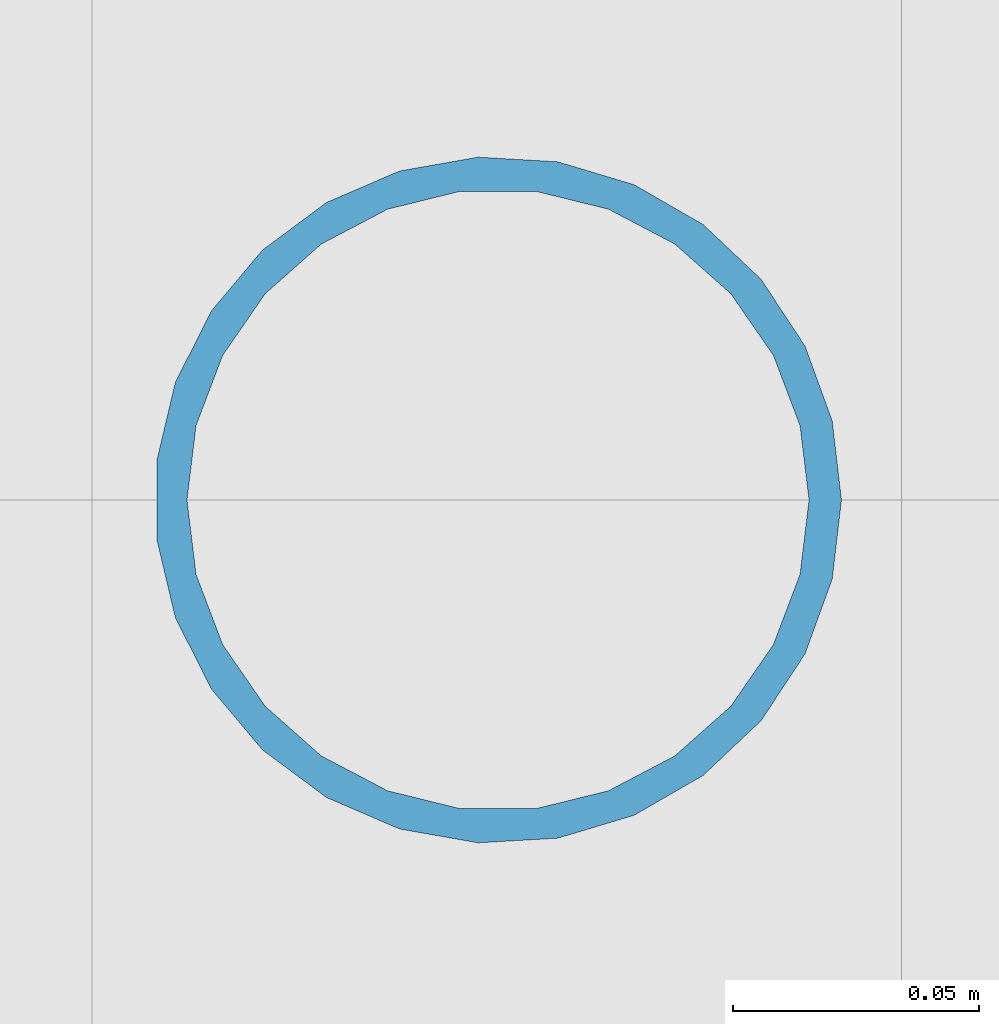
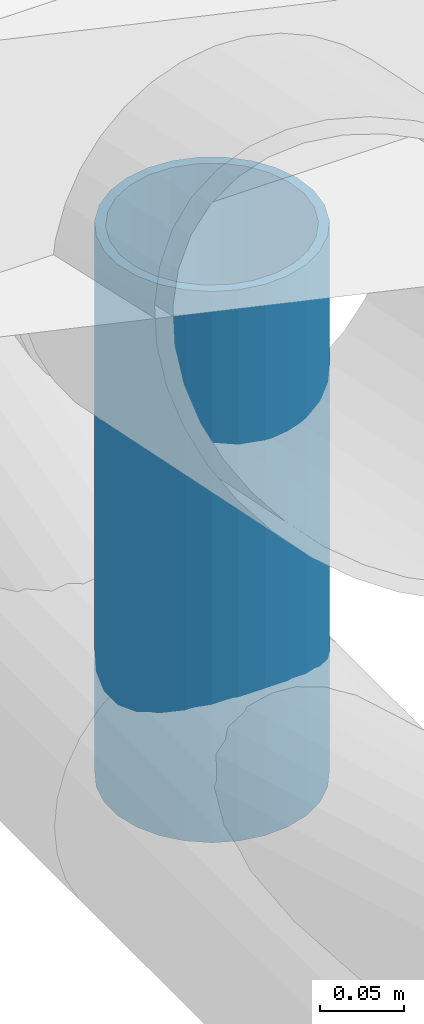
# One storey, part 136 of 194: 1 member.
"""IFC4 building model written with IfcOpenShell, lengths in metres."""

from ifc_helpers import new_model, si_unit, direction, frame, origin, origin_2d, place, context, subcontext, project, spatial, hollow_circle, extrude, material, material_profile, profile_set, type_object, element, save


model = new_model("IFC4")

# Units and contexts
model_context = context("Model", 3, precision=1e-05, world=origin(), true_north=direction((0.0, 1.0)))
body_context = subcontext(model_context, "Body", "Model", "MODEL_VIEW")
ifc_project = project(units=[si_unit("LENGTHUNIT", "METRE"), si_unit("AREAUNIT", "SQUARE_METRE"), si_unit("VOLUMEUNIT", "CUBIC_METRE"), si_unit("PLANEANGLEUNIT", "RADIAN"), si_unit("MASSUNIT", "GRAM", prefix="KILO")], contexts=[model_context])

# Site, building, storey
site_placement = place(None, origin())
site = spatial("IfcSite", under=ifc_project, at=site_placement, CompositionType="ELEMENT")
building_placement = place(site_placement, origin())
building = spatial("IfcBuilding", under=site, at=building_placement, Name="Kazenagashi Tramway Depot", CompositionType="ELEMENT")
storey_placement = place(building_placement, frame((0.0, 0.0, 23.7)))
storey = spatial("IfcBuildingStorey", under=building, at=storey_placement, Name="ROOF", CompositionType="ELEMENT", Elevation=23.7)

# Member
ifc_material = material(Name="Steel STK490", Category="steel")
ifc_material_profile = material_profile(ifc_material, hollow_circle(Radius=0.0699, WallThickness=0.0066, at=origin_2d()), Name="CHS-139.8x6.6")
ifc_profile_set = profile_set([ifc_material_profile], Name="Steel STK490")
member_type = type_object("IfcMemberType", Name="TS-02", PredefinedType="STRUT", material=ifc_profile_set)
member_placement = place(storey_placement, frame((120.4, 100.0, -14.1), z_axis=(0.0, 0.0, 1.0), x_axis=(1.0, 0.0, 0.0)))
element("IfcMember", 1, at=member_placement, inside=storey, type_object=member_type, Name="Tubular Space Frame TS-02 MEM-0574", PredefinedType="STRUT", context=body_context, shape_type="SweptSolid", body=[
    extrude(hollow_circle(Radius=0.0699, WallThickness=0.0066, at=origin_2d()), origin(), (0.0, 0.0, 1.0), 0.4),
])

save(model, "model.ifc")
